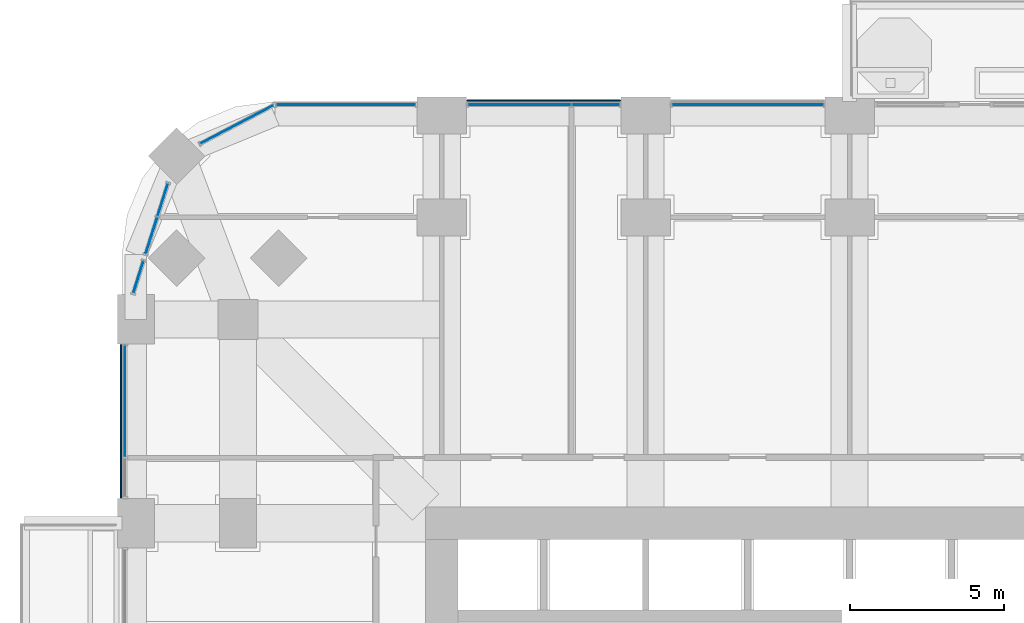
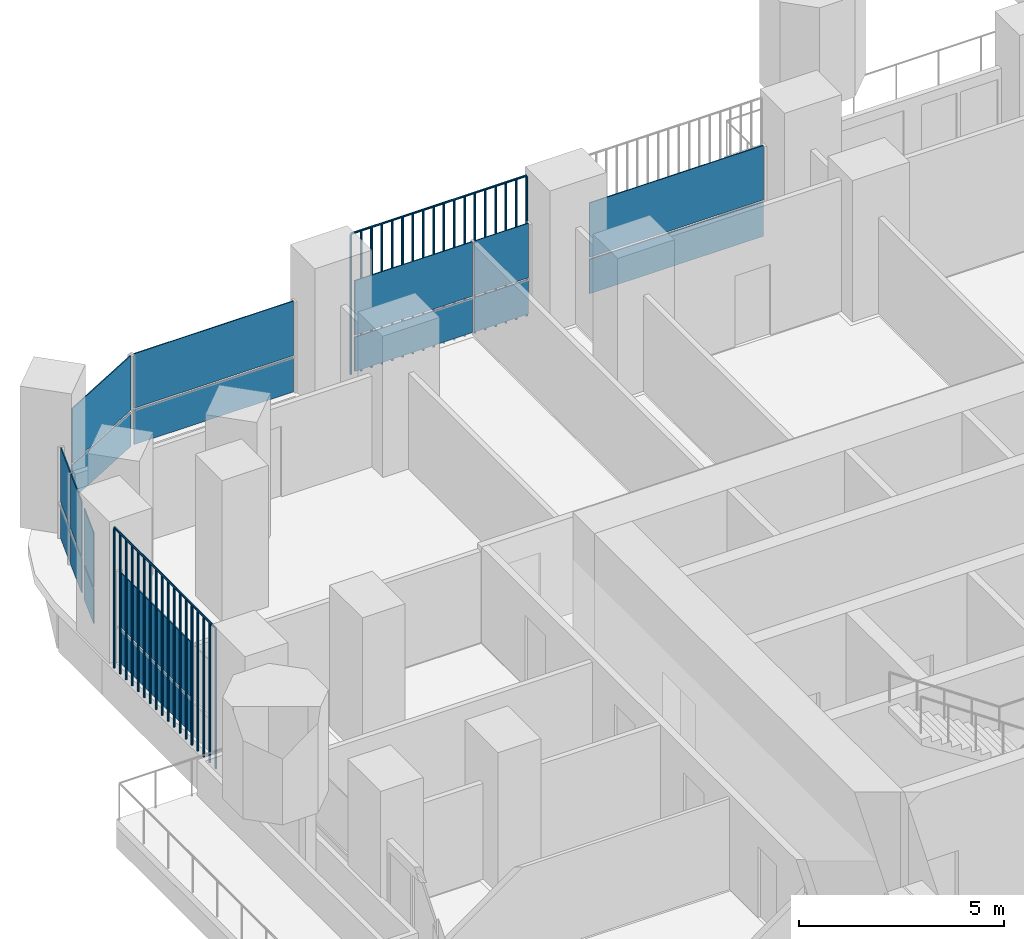
# One storey, part 12 of 23: 20 plates, 7 elements without a shape of their own.
"""IFC4 building model written with IfcOpenShell, lengths in metres."""

from ifc_helpers import new_model, si_unit, direction, frame, origin, origin_2d, place, context, subcontext, project, spatial, polyline, rectangle, outline, extrude, material, layer, layer_set, type_object, element, aggregate, save


model = new_model("IFC4")

# Units and contexts
model_context = context("Model", 3, precision=1e-05, world=origin(), true_north=direction((0.0, 1.0)))
body_context = subcontext(model_context, "Body", "Model", "MODEL_VIEW")
ifc_project = project(units=[si_unit("LENGTHUNIT", "METRE"), si_unit("AREAUNIT", "SQUARE_METRE"), si_unit("VOLUMEUNIT", "CUBIC_METRE"), si_unit("PLANEANGLEUNIT", "RADIAN"), si_unit("MASSUNIT", "GRAM", prefix="KILO")], contexts=[model_context])

# Site, building, storey
site_placement = place(None, origin())
site = spatial("IfcSite", under=ifc_project, at=site_placement, CompositionType="ELEMENT")
building_placement = place(site_placement, origin())
building = spatial("IfcBuilding", under=site, at=building_placement, Name="Cobogo Forest Laboratory Tower", CompositionType="ELEMENT")
storey_placement = place(building_placement, frame((0.0, 0.0, 103.199951171875)))
storey = spatial("IfcBuildingStorey", under=building, at=storey_placement, Name="L23", CompositionType="ELEMENT", Elevation=103.199951171875)

# Curtain wall, plates
ifc_material_1 = material(Name="Aluminium curtain wall", Category="aluminium")
curtain_wall_type = type_object("IfcCurtainWallType", Name="CW-1 unitised curtain wall, clear glazing, laboratory floors zones A and B", PredefinedType="USERDEFINED", material=ifc_material_1)
curtain_wall_1_placement = place(storey_placement, origin())
curtain_wall_1 = element("IfcCurtainWall", 1, at=curtain_wall_1_placement, inside=storey, type_object=curtain_wall_type, Name="Curtain wall 21 L23", ObjectType="UNITISED CURTAIN WALL", PredefinedType="USERDEFINED")
ifc_material_2 = material(Name="Clear insulated glass", Category="glass")
ifc_layer = layer(ifc_material_2, 0.028076171875)
ifc_layer_set = layer_set([ifc_layer], Name="GP-1 clear insulated glass unit 28")
plate_type_1 = type_object("IfcPlateType", Name="GP-1 clear insulated glass unit 28", PredefinedType="CURTAIN_PANEL", material=ifc_layer_set)
plate_1_placement = place(storey_placement, frame((23.10009765625, 46.550048828125, 0.0), z_axis=(0.0, 0.0, 1.0), x_axis=(-1.0, 0.0, 0.0)))
plate_1 = element("IfcPlate", 2, at=plate_1_placement, type_object=plate_type_1, Name="CW-1 panel 1.1", PredefinedType="CURTAIN_PANEL", context=body_context, shape_type="SweptSolid", body=[
    extrude(rectangle(XDim=4.8798828125, YDim=0.028076171875, at=origin_2d()), origin(), (0.0, 0.0, 1.0), 1.02001953125),
])
plate_2_placement = place(storey_placement, frame((23.10009765625, 46.550048828125, 1.080078125), z_axis=(0.0, 0.0, 1.0), x_axis=(-1.0, 0.0, 0.0)))
plate_2 = element("IfcPlate", 3, at=plate_2_placement, type_object=plate_type_1, Name="CW-1 panel 1.2", PredefinedType="CURTAIN_PANEL", context=body_context, shape_type="SweptSolid", body=[
    extrude(rectangle(XDim=4.8798828125, YDim=0.028076171875, at=origin_2d()), origin(), (0.0, 0.0, 1.0), 1.6201171875),
])
aggregate(curtain_wall_1, [plate_1, plate_2])

curtain_wall_2_placement = place(storey_placement, origin())
curtain_wall_2 = element("IfcCurtainWall", 4, at=curtain_wall_2_placement, inside=storey, type_object=curtain_wall_type, Name="Curtain wall 22 L23", ObjectType="UNITISED CURTAIN WALL", PredefinedType="USERDEFINED")
plate_3_placement = place(storey_placement, frame((18.18505859375, 46.550048828125, 0.0), z_axis=(0.0, 0.0, 1.0), x_axis=(-1.0, 0.0, 0.0)))
plate_3 = element("IfcPlate", 5, at=plate_3_placement, type_object=plate_type_1, Name="CW-1 panel 1.1", PredefinedType="CURTAIN_PANEL", context=body_context, shape_type="SweptSolid", body=[
    extrude(rectangle(XDim=1.510009765625, YDim=0.028076171875, at=origin_2d()), origin(), (0.0, 0.0, 1.0), 1.02001953125),
])
plate_4_placement = place(storey_placement, frame((18.18505859375, 46.550048828125, 1.080078125), z_axis=(0.0, 0.0, 1.0), x_axis=(-1.0, 0.0, 0.0)))
plate_4 = element("IfcPlate", 6, at=plate_4_placement, type_object=plate_type_1, Name="CW-1 panel 1.2", PredefinedType="CURTAIN_PANEL", context=body_context, shape_type="SweptSolid", body=[
    extrude(rectangle(XDim=1.510009765625, YDim=0.028076171875, at=origin_2d()), origin(), (0.0, 0.0, 1.0), 1.6201171875),
])
plate_5_placement = place(storey_placement, frame((15.715087890625, 46.550048828125, 0.0), z_axis=(0.0, 0.0, 1.0), x_axis=(-1.0, 0.0, 0.0)))
plate_5 = element("IfcPlate", 7, at=plate_5_placement, type_object=plate_type_1, Name="CW-1 panel 2.1", PredefinedType="CURTAIN_PANEL", context=body_context, shape_type="SweptSolid", body=[
    extrude(rectangle(XDim=3.31005859375, YDim=0.028076171875, at=origin_2d()), origin(), (0.0, 0.0, 1.0), 1.02001953125),
])
plate_6_placement = place(storey_placement, frame((15.715087890625, 46.550048828125, 1.080078125), z_axis=(0.0, 0.0, 1.0), x_axis=(-1.0, 0.0, 0.0)))
plate_6 = element("IfcPlate", 8, at=plate_6_placement, type_object=plate_type_1, Name="CW-1 panel 2.2", PredefinedType="CURTAIN_PANEL", context=body_context, shape_type="SweptSolid", body=[
    extrude(rectangle(XDim=3.31005859375, YDim=0.028076171875, at=origin_2d()), origin(), (0.0, 0.0, 1.0), 1.6201171875),
])
aggregate(curtain_wall_2, [plate_3, plate_4, plate_5, plate_6])

curtain_wall_3_placement = place(storey_placement, origin())
curtain_wall_3 = element("IfcCurtainWall", 9, at=curtain_wall_3_placement, inside=storey, type_object=curtain_wall_type, Name="Curtain wall 23 L23", ObjectType="UNITISED CURTAIN WALL", PredefinedType="USERDEFINED")
plate_7_placement = place(storey_placement, frame((10.10009765625, 46.550048828125, 0.0), z_axis=(0.0, 0.0, 1.0), x_axis=(-1.0, 0.0, 0.0)))
plate_7 = element("IfcPlate", 10, at=plate_7_placement, type_object=plate_type_1, Name="CW-1 panel 1.1", PredefinedType="CURTAIN_PANEL", context=body_context, shape_type="SweptSolid", body=[
    extrude(rectangle(XDim=4.47998046875, YDim=0.028076171875, at=origin_2d()), origin(), (0.0, 0.0, 1.0), 1.02001953125),
])
plate_8_placement = place(storey_placement, frame((10.10009765625, 46.550048828125, 1.080078125), z_axis=(0.0, 0.0, 1.0), x_axis=(-1.0, 0.0, 0.0)))
plate_8 = element("IfcPlate", 11, at=plate_8_placement, type_object=plate_type_1, Name="CW-1 panel 1.2", PredefinedType="CURTAIN_PANEL", context=body_context, shape_type="SweptSolid", body=[
    extrude(rectangle(XDim=4.47998046875, YDim=0.028076171875, at=origin_2d()), origin(), (0.0, 0.0, 1.0), 1.6201171875),
])
aggregate(curtain_wall_3, [plate_7, plate_8])

curtain_wall_4_placement = place(storey_placement, origin())
curtain_wall_4 = element("IfcCurtainWall", 12, at=curtain_wall_4_placement, inside=storey, type_object=curtain_wall_type, Name="Curtain wall 24 L23", ObjectType="UNITISED CURTAIN WALL", PredefinedType="USERDEFINED")
plate_9_placement = place(storey_placement, frame((6.57080078125, 45.90576171875, 0.0), z_axis=(0.0, 0.0, 1.0), x_axis=(-0.885686547075, -0.464283685186, 0.0)))
plate_9 = element("IfcPlate", 13, at=plate_9_placement, type_object=plate_type_1, Name="CW-1 panel 1.1", PredefinedType="CURTAIN_PANEL", context=body_context, shape_type="SweptSolid", body=[
    extrude(rectangle(XDim=2.655517578125, YDim=0.028076171875, at=origin_2d()), origin(), (0.0, 0.0, 1.0), 1.02001953125),
])
plate_10_placement = place(storey_placement, frame((6.57080078125, 45.90576171875, 1.080078125), z_axis=(0.0, 0.0, 1.0), x_axis=(-0.885686547075, -0.464283685186, 0.0)))
plate_10 = element("IfcPlate", 14, at=plate_10_placement, type_object=plate_type_1, Name="CW-1 panel 1.2", PredefinedType="CURTAIN_PANEL", context=body_context, shape_type="SweptSolid", body=[
    extrude(rectangle(XDim=2.655517578125, YDim=0.028076171875, at=origin_2d()), origin(), (0.0, 0.0, 1.0), 1.6201171875),
])
aggregate(curtain_wall_4, [plate_9, plate_10])

curtain_wall_5_placement = place(storey_placement, origin())
curtain_wall_5 = element("IfcCurtainWall", 15, at=curtain_wall_5_placement, inside=storey, type_object=curtain_wall_type, Name="Curtain wall 25 L23", ObjectType="UNITISED CURTAIN WALL", PredefinedType="USERDEFINED")
plate_11_placement = place(storey_placement, frame((4.171875, 43.469482421875, 0.0), z_axis=(0.0, 0.0, 1.0), x_axis=(-0.301135291996, -0.953581425949, 0.0)))
plate_11 = element("IfcPlate", 16, at=plate_11_placement, type_object=plate_type_1, Name="CW-1 panel 1.1", PredefinedType="CURTAIN_PANEL", context=body_context, shape_type="SweptSolid", body=[
    extrude(rectangle(XDim=1.083984375, YDim=0.028076171875, at=origin_2d()), origin(), (0.0, 0.0, 1.0), 1.02001953125),
])
plate_12_placement = place(storey_placement, frame((4.171875, 43.469482421875, 1.080078125), z_axis=(0.0, 0.0, 1.0), x_axis=(-0.301135291996, -0.953581425949, 0.0)))
plate_12 = element("IfcPlate", 17, at=plate_12_placement, type_object=plate_type_1, Name="CW-1 panel 1.2", PredefinedType="CURTAIN_PANEL", context=body_context, shape_type="SweptSolid", body=[
    extrude(rectangle(XDim=1.083984375, YDim=0.028076171875, at=origin_2d()), origin(), (0.0, 0.0, 1.0), 1.6201171875),
])
plate_13_placement = place(storey_placement, frame((3.806396484375, 42.31201171875, 0.0), z_axis=(0.0, 0.0, 1.0), x_axis=(-0.301135291996, -0.953581425949, 0.0)))
plate_13 = element("IfcPlate", 18, at=plate_13_placement, type_object=plate_type_1, Name="CW-1 panel 2.1", PredefinedType="CURTAIN_PANEL", context=body_context, shape_type="SweptSolid", body=[
    extrude(rectangle(XDim=1.223876953125, YDim=0.028076171875, at=origin_2d()), origin(), (0.0, 0.0, 1.0), 1.02001953125),
])
plate_14_placement = place(storey_placement, frame((3.806396484375, 42.31201171875, 1.080078125), z_axis=(0.0, 0.0, 1.0), x_axis=(-0.301135291996, -0.953581425949, 0.0)))
plate_14 = element("IfcPlate", 19, at=plate_14_placement, type_object=plate_type_1, Name="CW-1 panel 2.2", PredefinedType="CURTAIN_PANEL", context=body_context, shape_type="SweptSolid", body=[
    extrude(rectangle(XDim=1.223876953125, YDim=0.028076171875, at=origin_2d()), origin(), (0.0, 0.0, 1.0), 1.6201171875),
])
aggregate(curtain_wall_5, [plate_11, plate_12, plate_13, plate_14])

curtain_wall_6_placement = place(storey_placement, origin())
curtain_wall_6 = element("IfcCurtainWall", 20, at=curtain_wall_6_placement, inside=storey, type_object=curtain_wall_type, Name="Curtain wall 26 L23", ObjectType="UNITISED CURTAIN WALL", PredefinedType="USERDEFINED")
plate_15_placement = place(storey_placement, frame((3.3818359375, 40.9677734375, 0.0), z_axis=(0.0, 0.0, 1.0), x_axis=(-0.301135667865, -0.953581307252, 0.0)))
plate_15 = element("IfcPlate", 21, at=plate_15_placement, type_object=plate_type_1, Name="CW-1 panel 1.1", PredefinedType="CURTAIN_PANEL", context=body_context, shape_type="SweptSolid", body=[
    extrude(rectangle(XDim=1.071044921875, YDim=0.028076171875, at=origin_2d()), origin(), (0.0, 0.0, 1.0), 1.02001953125),
])
plate_16_placement = place(storey_placement, frame((3.3818359375, 40.9677734375, 1.080078125), z_axis=(0.0, 0.0, 1.0), x_axis=(-0.301135667865, -0.953581307252, 0.0)))
plate_16 = element("IfcPlate", 22, at=plate_16_placement, type_object=plate_type_1, Name="CW-1 panel 1.2", PredefinedType="CURTAIN_PANEL", context=body_context, shape_type="SweptSolid", body=[
    extrude(rectangle(XDim=1.071044921875, YDim=0.028076171875, at=origin_2d()), origin(), (0.0, 0.0, 1.0), 1.6201171875),
])
aggregate(curtain_wall_6, [plate_15, plate_16])

curtain_wall_7_placement = place(storey_placement, origin())
curtain_wall_7 = element("IfcCurtainWall", 23, at=curtain_wall_7_placement, inside=storey, type_object=curtain_wall_type, Name="Curtain wall 27 L23", ObjectType="UNITISED CURTAIN WALL", PredefinedType="USERDEFINED")
plate_17_placement = place(storey_placement, frame((2.949951171875, 36.947509765625, 0.0), z_axis=(0.0, 0.0, 1.0), x_axis=(0.0, -1.0, 0.0)))
plate_17 = element("IfcPlate", 24, at=plate_17_placement, type_object=plate_type_1, Name="CW-1 panel 1.1", PredefinedType="CURTAIN_PANEL", context=body_context, shape_type="SweptSolid", body=[
    extrude(rectangle(XDim=3.5849609375, YDim=0.028076171875, at=origin_2d()), origin(), (0.0, 0.0, 1.0), 1.02001953125),
])
plate_18_placement = place(storey_placement, frame((2.949951171875, 36.947509765625, 1.080078125), z_axis=(0.0, 0.0, 1.0), x_axis=(0.0, -1.0, 0.0)))
plate_18 = element("IfcPlate", 25, at=plate_18_placement, type_object=plate_type_1, Name="CW-1 panel 1.2", PredefinedType="CURTAIN_PANEL", context=body_context, shape_type="SweptSolid", body=[
    extrude(rectangle(XDim=3.5849609375, YDim=0.028076171875, at=origin_2d()), origin(), (0.0, 0.0, 1.0), 1.6201171875),
])
aggregate(curtain_wall_7, [plate_17, plate_18])

# Plates
ifc_material_3 = material(Name="Terracotta", Category="masonry")
plate_type_2 = type_object("IfcPlateType", Name="TB1 terracotta baguette screen", PredefinedType="USERDEFINED", material=ifc_material_3)
plate_19_placement = place(storey_placement, frame((14.03125, 46.677978515625, -0.14990234375)))
element("IfcPlate", 26, at=plate_19_placement, inside=storey, type_object=plate_type_2, Name="Baguette screen N1 L23", ObjectType="BAGUETTE SCREEN", PredefinedType="USERDEFINED", context=body_context, shape_type="SweptSolid", body=[
    extrude(outline(polyline([(0.02880859375, 0.011962890625), (0.011962890625, 0.02880859375), (-0.011962890625, 0.02880859375), (-0.02880859375, 0.011962890625), (-0.02880859375, -0.011962890625), (-0.011962890625, -0.02880859375), (0.011962890625, -0.02880859375), (0.02880859375, -0.011962890625), (0.02880859375, 0.011962890625)])), frame((0.0, 0.0, 4.168701171875), z_axis=(1.0, 0.0, 0.0), x_axis=(0.0, 1.0, 0.0)), (0.0, 0.0, 1.0), 4.9375),
    extrude(outline(polyline([(0.02880859375, 0.011962890625), (0.011962890625, 0.02880859375), (-0.011962890625, 0.02880859375), (-0.02880859375, 0.011962890625), (-0.02880859375, -0.011962890625), (-0.011962890625, -0.02880859375), (0.011962890625, -0.02880859375), (0.02880859375, -0.011962890625), (0.02880859375, 0.011962890625)])), origin(), (0.0, 0.0, 1.0), 4.137451171875),
    extrude(outline(polyline([(0.02880859375, 0.011962890625), (0.011962890625, 0.02880859375), (-0.011962890625, 0.02880859375), (-0.02880859375, 0.011962890625), (-0.02880859375, -0.011962890625), (-0.011962890625, -0.02880859375), (0.011962890625, -0.02880859375), (0.02880859375, -0.011962890625), (0.02880859375, 0.011962890625)])), frame((0.29052734375, 0.0, 0.0)), (0.0, 0.0, 1.0), 4.137451171875),
    extrude(outline(polyline([(0.02880859375, 0.011962890625), (0.011962890625, 0.02880859375), (-0.011962890625, 0.02880859375), (-0.02880859375, 0.011962890625), (-0.02880859375, -0.011962890625), (-0.011962890625, -0.02880859375), (0.011962890625, -0.02880859375), (0.02880859375, -0.011962890625), (0.02880859375, 0.011962890625)])), frame((0.580810546875, 0.0, 0.0)), (0.0, 0.0, 1.0), 4.137451171875),
    extrude(outline(polyline([(0.02880859375, 0.011962890625), (0.011962890625, 0.02880859375), (-0.011962890625, 0.02880859375), (-0.02880859375, 0.011962890625), (-0.02880859375, -0.011962890625), (-0.011962890625, -0.02880859375), (0.011962890625, -0.02880859375), (0.02880859375, -0.011962890625), (0.02880859375, 0.011962890625)])), frame((0.871337890625, 0.0, 0.0)), (0.0, 0.0, 1.0), 4.137451171875),
    extrude(outline(polyline([(0.02880859375, 0.011962890625), (0.011962890625, 0.02880859375), (-0.011962890625, 0.02880859375), (-0.02880859375, 0.011962890625), (-0.02880859375, -0.011962890625), (-0.011962890625, -0.02880859375), (0.011962890625, -0.02880859375), (0.02880859375, -0.011962890625), (0.02880859375, 0.011962890625)])), frame((1.161865234375, 0.0, 0.0)), (0.0, 0.0, 1.0), 4.137451171875),
    extrude(outline(polyline([(0.02880859375, 0.011962890625), (0.011962890625, 0.02880859375), (-0.011962890625, 0.02880859375), (-0.02880859375, 0.011962890625), (-0.02880859375, -0.011962890625), (-0.011962890625, -0.02880859375), (0.011962890625, -0.02880859375), (0.02880859375, -0.011962890625), (0.02880859375, 0.011962890625)])), frame((1.4521484375, 0.0, 0.0)), (0.0, 0.0, 1.0), 4.137451171875),
    extrude(outline(polyline([(0.02880859375, 0.011962890625), (0.011962890625, 0.02880859375), (-0.011962890625, 0.02880859375), (-0.02880859375, 0.011962890625), (-0.02880859375, -0.011962890625), (-0.011962890625, -0.02880859375), (0.011962890625, -0.02880859375), (0.02880859375, -0.011962890625), (0.02880859375, 0.011962890625)])), frame((1.74267578125, 0.0, 0.0)), (0.0, 0.0, 1.0), 4.137451171875),
    extrude(outline(polyline([(0.02880859375, 0.011962890625), (0.011962890625, 0.02880859375), (-0.011962890625, 0.02880859375), (-0.02880859375, 0.011962890625), (-0.02880859375, -0.011962890625), (-0.011962890625, -0.02880859375), (0.011962890625, -0.02880859375), (0.02880859375, -0.011962890625), (0.02880859375, 0.011962890625)])), frame((2.033203125, 0.0, 0.0)), (0.0, 0.0, 1.0), 4.137451171875),
    extrude(outline(polyline([(0.02880859375, 0.011962890625), (0.011962890625, 0.02880859375), (-0.011962890625, 0.02880859375), (-0.02880859375, 0.011962890625), (-0.02880859375, -0.011962890625), (-0.011962890625, -0.02880859375), (0.011962890625, -0.02880859375), (0.02880859375, -0.011962890625), (0.02880859375, 0.011962890625)])), frame((2.323486328125, 0.0, 0.0)), (0.0, 0.0, 1.0), 4.137451171875),
    extrude(outline(polyline([(0.02880859375, 0.011962890625), (0.011962890625, 0.02880859375), (-0.011962890625, 0.02880859375), (-0.02880859375, 0.011962890625), (-0.02880859375, -0.011962890625), (-0.011962890625, -0.02880859375), (0.011962890625, -0.02880859375), (0.02880859375, -0.011962890625), (0.02880859375, 0.011962890625)])), frame((2.614013671875, 0.0, 0.0)), (0.0, 0.0, 1.0), 4.137451171875),
    extrude(outline(polyline([(0.02880859375, 0.011962890625), (0.011962890625, 0.02880859375), (-0.011962890625, 0.02880859375), (-0.02880859375, 0.011962890625), (-0.02880859375, -0.011962890625), (-0.011962890625, -0.02880859375), (0.011962890625, -0.02880859375), (0.02880859375, -0.011962890625), (0.02880859375, 0.011962890625)])), frame((2.904296875, 0.0, 0.0)), (0.0, 0.0, 1.0), 4.137451171875),
    extrude(outline(polyline([(0.02880859375, 0.011962890625), (0.011962890625, 0.02880859375), (-0.011962890625, 0.02880859375), (-0.02880859375, 0.011962890625), (-0.02880859375, -0.011962890625), (-0.011962890625, -0.02880859375), (0.011962890625, -0.02880859375), (0.02880859375, -0.011962890625), (0.02880859375, 0.011962890625)])), frame((3.19482421875, 0.0, 0.0)), (0.0, 0.0, 1.0), 4.137451171875),
    extrude(outline(polyline([(0.02880859375, 0.011962890625), (0.011962890625, 0.02880859375), (-0.011962890625, 0.02880859375), (-0.02880859375, 0.011962890625), (-0.02880859375, -0.011962890625), (-0.011962890625, -0.02880859375), (0.011962890625, -0.02880859375), (0.02880859375, -0.011962890625), (0.02880859375, 0.011962890625)])), frame((3.4853515625, 0.0, 0.0)), (0.0, 0.0, 1.0), 4.137451171875),
    extrude(outline(polyline([(0.02880859375, 0.011962890625), (0.011962890625, 0.02880859375), (-0.011962890625, 0.02880859375), (-0.02880859375, 0.011962890625), (-0.02880859375, -0.011962890625), (-0.011962890625, -0.02880859375), (0.011962890625, -0.02880859375), (0.02880859375, -0.011962890625), (0.02880859375, 0.011962890625)])), frame((3.775634765625, 0.0, 0.0)), (0.0, 0.0, 1.0), 4.137451171875),
    extrude(outline(polyline([(0.02880859375, 0.011962890625), (0.011962890625, 0.02880859375), (-0.011962890625, 0.02880859375), (-0.02880859375, 0.011962890625), (-0.02880859375, -0.011962890625), (-0.011962890625, -0.02880859375), (0.011962890625, -0.02880859375), (0.02880859375, -0.011962890625), (0.02880859375, 0.011962890625)])), frame((4.066162109375, 0.0, 0.0)), (0.0, 0.0, 1.0), 4.137451171875),
    extrude(outline(polyline([(0.02880859375, 0.011962890625), (0.011962890625, 0.02880859375), (-0.011962890625, 0.02880859375), (-0.02880859375, 0.011962890625), (-0.02880859375, -0.011962890625), (-0.011962890625, -0.02880859375), (0.011962890625, -0.02880859375), (0.02880859375, -0.011962890625), (0.02880859375, 0.011962890625)])), frame((4.356689453125, 0.0, 0.0)), (0.0, 0.0, 1.0), 4.137451171875),
    extrude(outline(polyline([(0.02880859375, 0.011962890625), (0.011962890625, 0.02880859375), (-0.011962890625, 0.02880859375), (-0.02880859375, 0.011962890625), (-0.02880859375, -0.011962890625), (-0.011962890625, -0.02880859375), (0.011962890625, -0.02880859375), (0.02880859375, -0.011962890625), (0.02880859375, 0.011962890625)])), frame((4.64697265625, 0.0, 0.0)), (0.0, 0.0, 1.0), 4.137451171875),
    extrude(outline(polyline([(0.02880859375, 0.011962890625), (0.011962890625, 0.02880859375), (-0.011962890625, 0.02880859375), (-0.02880859375, 0.011962890625), (-0.02880859375, -0.011962890625), (-0.011962890625, -0.02880859375), (0.011962890625, -0.02880859375), (0.02880859375, -0.011962890625), (0.02880859375, 0.011962890625)])), frame((4.9375, 0.0, 0.0)), (0.0, 0.0, 1.0), 4.137451171875),
])
plate_20_placement = place(storey_placement, frame((2.822021484375, 33.831298828125, -0.14990234375)))
element("IfcPlate", 27, at=plate_20_placement, inside=storey, type_object=plate_type_2, Name="Baguette screen W5 L23", ObjectType="BAGUETTE SCREEN", PredefinedType="USERDEFINED", context=body_context, shape_type="SweptSolid", body=[
    extrude(outline(polyline([(0.02880859375, 0.011962890625), (0.011962890625, 0.02880859375), (-0.011962890625, 0.02880859375), (-0.02880859375, 0.011962890625), (-0.02880859375, -0.011962890625), (-0.011962890625, -0.02880859375), (0.011962890625, -0.02880859375), (0.02880859375, -0.011962890625), (0.02880859375, 0.011962890625)])), frame((0.0, 0.0, 4.168701171875), z_axis=(0.0, 1.0, 0.0), x_axis=(-1.0, 0.0, 0.0)), (0.0, 0.0, 1.0), 4.9375),
    extrude(outline(polyline([(0.02880859375, 0.011962890625), (0.011962890625, 0.02880859375), (-0.011962890625, 0.02880859375), (-0.02880859375, 0.011962890625), (-0.02880859375, -0.011962890625), (-0.011962890625, -0.02880859375), (0.011962890625, -0.02880859375), (0.02880859375, -0.011962890625), (0.02880859375, 0.011962890625)])), origin(), (0.0, 0.0, 1.0), 4.137451171875),
    extrude(outline(polyline([(0.02880859375, 0.011962890625), (0.011962890625, 0.02880859375), (-0.011962890625, 0.02880859375), (-0.02880859375, 0.011962890625), (-0.02880859375, -0.011962890625), (-0.011962890625, -0.02880859375), (0.011962890625, -0.02880859375), (0.02880859375, -0.011962890625), (0.02880859375, 0.011962890625)])), frame((0.0, 0.29052734375, 0.0)), (0.0, 0.0, 1.0), 4.137451171875),
    extrude(outline(polyline([(0.02880859375, 0.011962890625), (0.011962890625, 0.02880859375), (-0.011962890625, 0.02880859375), (-0.02880859375, 0.011962890625), (-0.02880859375, -0.011962890625), (-0.011962890625, -0.02880859375), (0.011962890625, -0.02880859375), (0.02880859375, -0.011962890625), (0.02880859375, 0.011962890625)])), frame((0.0, 0.580810546875, 0.0)), (0.0, 0.0, 1.0), 4.137451171875),
    extrude(outline(polyline([(0.02880859375, 0.011962890625), (0.011962890625, 0.02880859375), (-0.011962890625, 0.02880859375), (-0.02880859375, 0.011962890625), (-0.02880859375, -0.011962890625), (-0.011962890625, -0.02880859375), (0.011962890625, -0.02880859375), (0.02880859375, -0.011962890625), (0.02880859375, 0.011962890625)])), frame((0.0, 0.871337890625, 0.0)), (0.0, 0.0, 1.0), 4.137451171875),
    extrude(outline(polyline([(0.02880859375, 0.011962890625), (0.011962890625, 0.02880859375), (-0.011962890625, 0.02880859375), (-0.02880859375, 0.011962890625), (-0.02880859375, -0.011962890625), (-0.011962890625, -0.02880859375), (0.011962890625, -0.02880859375), (0.02880859375, -0.011962890625), (0.02880859375, 0.011962890625)])), frame((0.0, 1.161865234375, 0.0)), (0.0, 0.0, 1.0), 4.137451171875),
    extrude(outline(polyline([(0.02880859375, 0.011962890625), (0.011962890625, 0.02880859375), (-0.011962890625, 0.02880859375), (-0.02880859375, 0.011962890625), (-0.02880859375, -0.011962890625), (-0.011962890625, -0.02880859375), (0.011962890625, -0.02880859375), (0.02880859375, -0.011962890625), (0.02880859375, 0.011962890625)])), frame((0.0, 1.4521484375, 0.0)), (0.0, 0.0, 1.0), 4.137451171875),
    extrude(outline(polyline([(0.02880859375, 0.011962890625), (0.011962890625, 0.02880859375), (-0.011962890625, 0.02880859375), (-0.02880859375, 0.011962890625), (-0.02880859375, -0.011962890625), (-0.011962890625, -0.02880859375), (0.011962890625, -0.02880859375), (0.02880859375, -0.011962890625), (0.02880859375, 0.011962890625)])), frame((0.0, 1.74267578125, 0.0)), (0.0, 0.0, 1.0), 4.137451171875),
    extrude(outline(polyline([(0.02880859375, 0.011962890625), (0.011962890625, 0.02880859375), (-0.011962890625, 0.02880859375), (-0.02880859375, 0.011962890625), (-0.02880859375, -0.011962890625), (-0.011962890625, -0.02880859375), (0.011962890625, -0.02880859375), (0.02880859375, -0.011962890625), (0.02880859375, 0.011962890625)])), frame((0.0, 2.033203125, 0.0)), (0.0, 0.0, 1.0), 4.137451171875),
    extrude(outline(polyline([(0.02880859375, 0.011962890625), (0.011962890625, 0.02880859375), (-0.011962890625, 0.02880859375), (-0.02880859375, 0.011962890625), (-0.02880859375, -0.011962890625), (-0.011962890625, -0.02880859375), (0.011962890625, -0.02880859375), (0.02880859375, -0.011962890625), (0.02880859375, 0.011962890625)])), frame((0.0, 2.323486328125, 0.0)), (0.0, 0.0, 1.0), 4.137451171875),
    extrude(outline(polyline([(0.02880859375, 0.011962890625), (0.011962890625, 0.02880859375), (-0.011962890625, 0.02880859375), (-0.02880859375, 0.011962890625), (-0.02880859375, -0.011962890625), (-0.011962890625, -0.02880859375), (0.011962890625, -0.02880859375), (0.02880859375, -0.011962890625), (0.02880859375, 0.011962890625)])), frame((0.0, 2.614013671875, 0.0)), (0.0, 0.0, 1.0), 4.137451171875),
    extrude(outline(polyline([(0.02880859375, 0.011962890625), (0.011962890625, 0.02880859375), (-0.011962890625, 0.02880859375), (-0.02880859375, 0.011962890625), (-0.02880859375, -0.011962890625), (-0.011962890625, -0.02880859375), (0.011962890625, -0.02880859375), (0.02880859375, -0.011962890625), (0.02880859375, 0.011962890625)])), frame((0.0, 2.904296875, 0.0)), (0.0, 0.0, 1.0), 4.137451171875),
    extrude(outline(polyline([(0.02880859375, 0.011962890625), (0.011962890625, 0.02880859375), (-0.011962890625, 0.02880859375), (-0.02880859375, 0.011962890625), (-0.02880859375, -0.011962890625), (-0.011962890625, -0.02880859375), (0.011962890625, -0.02880859375), (0.02880859375, -0.011962890625), (0.02880859375, 0.011962890625)])), frame((0.0, 3.19482421875, 0.0)), (0.0, 0.0, 1.0), 4.137451171875),
    extrude(outline(polyline([(0.02880859375, 0.011962890625), (0.011962890625, 0.02880859375), (-0.011962890625, 0.02880859375), (-0.02880859375, 0.011962890625), (-0.02880859375, -0.011962890625), (-0.011962890625, -0.02880859375), (0.011962890625, -0.02880859375), (0.02880859375, -0.011962890625), (0.02880859375, 0.011962890625)])), frame((0.0, 3.4853515625, 0.0)), (0.0, 0.0, 1.0), 4.137451171875),
    extrude(outline(polyline([(0.02880859375, 0.011962890625), (0.011962890625, 0.02880859375), (-0.011962890625, 0.02880859375), (-0.02880859375, 0.011962890625), (-0.02880859375, -0.011962890625), (-0.011962890625, -0.02880859375), (0.011962890625, -0.02880859375), (0.02880859375, -0.011962890625), (0.02880859375, 0.011962890625)])), frame((0.0, 3.775634765625, 0.0)), (0.0, 0.0, 1.0), 4.137451171875),
    extrude(outline(polyline([(0.02880859375, 0.011962890625), (0.011962890625, 0.02880859375), (-0.011962890625, 0.02880859375), (-0.02880859375, 0.011962890625), (-0.02880859375, -0.011962890625), (-0.011962890625, -0.02880859375), (0.011962890625, -0.02880859375), (0.02880859375, -0.011962890625), (0.02880859375, 0.011962890625)])), frame((0.0, 4.066162109375, 0.0)), (0.0, 0.0, 1.0), 4.137451171875),
    extrude(outline(polyline([(0.02880859375, 0.011962890625), (0.011962890625, 0.02880859375), (-0.011962890625, 0.02880859375), (-0.02880859375, 0.011962890625), (-0.02880859375, -0.011962890625), (-0.011962890625, -0.02880859375), (0.011962890625, -0.02880859375), (0.02880859375, -0.011962890625), (0.02880859375, 0.011962890625)])), frame((0.0, 4.356689453125, 0.0)), (0.0, 0.0, 1.0), 4.137451171875),
    extrude(outline(polyline([(0.02880859375, 0.011962890625), (0.011962890625, 0.02880859375), (-0.011962890625, 0.02880859375), (-0.02880859375, 0.011962890625), (-0.02880859375, -0.011962890625), (-0.011962890625, -0.02880859375), (0.011962890625, -0.02880859375), (0.02880859375, -0.011962890625), (0.02880859375, 0.011962890625)])), frame((0.0, 4.64697265625, 0.0)), (0.0, 0.0, 1.0), 4.137451171875),
    extrude(outline(polyline([(0.02880859375, 0.011962890625), (0.011962890625, 0.02880859375), (-0.011962890625, 0.02880859375), (-0.02880859375, 0.011962890625), (-0.02880859375, -0.011962890625), (-0.011962890625, -0.02880859375), (0.011962890625, -0.02880859375), (0.02880859375, -0.011962890625), (0.02880859375, 0.011962890625)])), frame((0.0, 4.9375, 0.0)), (0.0, 0.0, 1.0), 4.137451171875),
])

save(model, "model.ifc")
